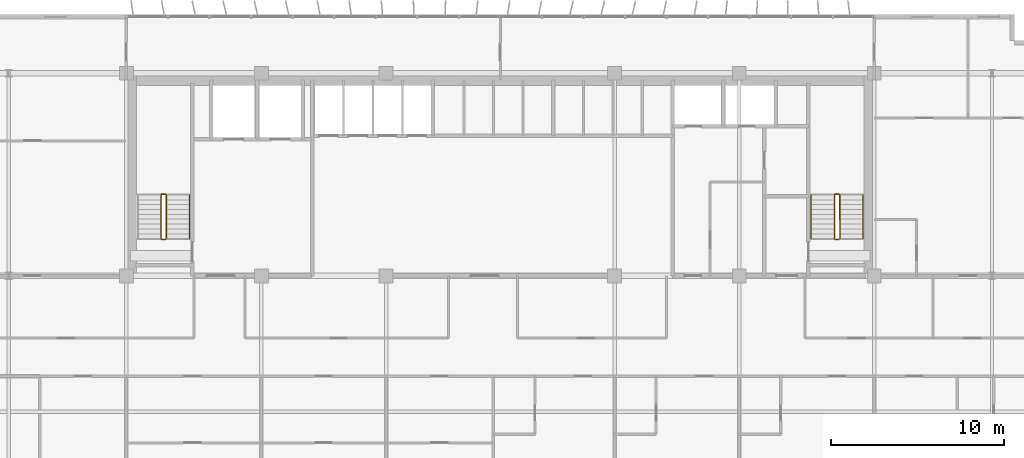
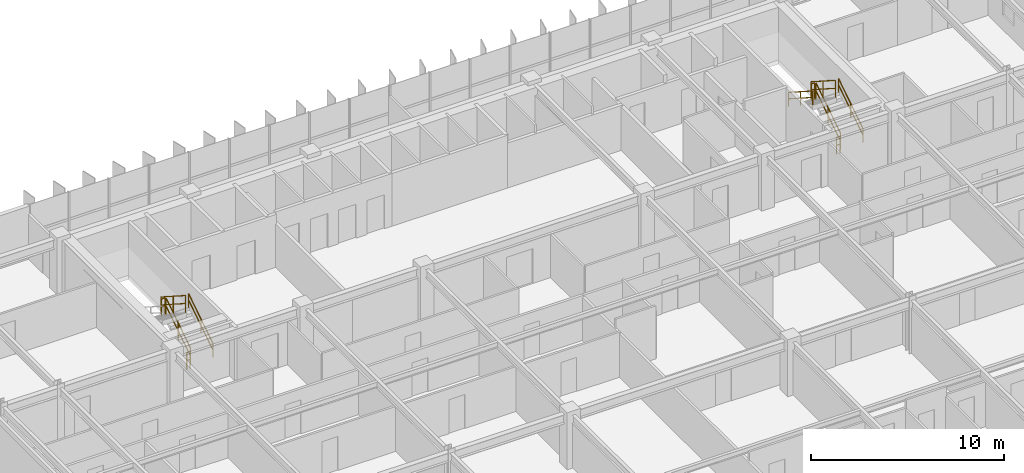
# One storey, part 21 of 22: 11 railings.
"""IFC4 building model written with IfcOpenShell, lengths in metres."""

from ifc_helpers import new_model, si_unit, direction, frame, origin, origin_2d, place, context, subcontext, project, spatial, rectangle, extrude, material, type_object, element, save


model = new_model("IFC4")

# Units and contexts
model_context = context("Model", 3, precision=1e-05, world=origin(), true_north=direction((0.0, 1.0)))
body_context = subcontext(model_context, "Body", "Model", "MODEL_VIEW")
ifc_project = project(units=[si_unit("LENGTHUNIT", "METRE"), si_unit("AREAUNIT", "SQUARE_METRE"), si_unit("VOLUMEUNIT", "CUBIC_METRE"), si_unit("PLANEANGLEUNIT", "RADIAN"), si_unit("MASSUNIT", "GRAM", prefix="KILO")], contexts=[model_context])

# Site, building, storey
site_placement = place(None, origin())
site = spatial("IfcSite", under=ifc_project, at=site_placement, CompositionType="ELEMENT")
building_placement = place(site_placement, origin())
building = spatial("IfcBuilding", under=site, at=building_placement, Name="Trelvane Seafront Commons", CompositionType="ELEMENT")
storey_placement = place(building_placement, frame((0.0, 0.0, 88.89990234375)))
storey = spatial("IfcBuildingStorey", under=building, at=storey_placement, Name="L22", CompositionType="ELEMENT", Elevation=88.89990234375)

# Railings
ifc_material = material(Name="Stainless steel balustrade", Category="steel")
railing_type_1 = type_object("IfcRailingType", Name="ARCH-SRL-GUARD", PredefinedType="GUARDRAIL", material=ifc_material)
railing_1_placement = place(storey_placement, frame((17.89990234375, 35.550048828125, 0.18017578125)))
element("IfcRailing", 1, at=railing_1_placement, inside=storey, type_object=railing_type_1, Name="L22 ST-1 stair guard 1", PredefinedType="GUARDRAIL", context=body_context, shape_type="SweptSolid", body=[
    extrude(rectangle(XDim=0.048095703125, YDim=0.048095703125, at=origin_2d()), frame((0.0, 0.0, 1.076171875), z_axis=(0.0, 0.841199657755, 0.540724639528), x_axis=(-1.0, 0.0, 0.0)), (0.0, 0.0, 1.0), 2.995849609375),
    extrude(rectangle(XDim=0.048095703125, YDim=0.048095703125, at=origin_2d()), frame((0.0, 0.0, 0.572021484375), z_axis=(0.0, 0.841199657755, 0.540724639528), x_axis=(-1.0, 0.0, 0.0)), (0.0, 0.0, 1.0), 2.995849609375),
    extrude(rectangle(XDim=0.0419921875, YDim=0.0419921875, at=origin_2d()), origin(), (0.0, 0.0, 1.0), 1.076171875),
    extrude(rectangle(XDim=0.0419921875, YDim=0.0419921875, at=origin_2d()), frame((0.0, 1.260009765625, 0.81005859375)), (0.0, 0.0, 1.0), 1.076171875),
    extrude(rectangle(XDim=0.0419921875, YDim=0.0419921875, at=origin_2d()), frame((0.0, 2.52001953125, 1.619873046875)), (0.0, 0.0, 1.0), 1.076171875),
])
railing_2_placement = place(storey_placement, frame((17.85009765625, 38.1201171875, 1.800048828125)))
element("IfcRailing", 2, at=railing_2_placement, inside=storey, type_object=railing_type_1, Name="L22 ST-1 stair guard 2", PredefinedType="GUARDRAIL", context=body_context, shape_type="SweptSolid", body=[
    extrude(rectangle(XDim=0.048095703125, YDim=0.048095703125, at=origin_2d()), frame((0.0, 0.0, 1.076171875), z_axis=(-1.0, 0.0, 0.0), x_axis=(0.0, -1.0, 0.0)), (0.0, 0.0, 1.0), 0.2001953125),
    extrude(rectangle(XDim=0.048095703125, YDim=0.048095703125, at=origin_2d()), frame((0.0, 0.0, 0.572021484375), z_axis=(-1.0, 0.0, 0.0), x_axis=(0.0, -1.0, 0.0)), (0.0, 0.0, 1.0), 0.2001953125),
    extrude(rectangle(XDim=0.0419921875, YDim=0.0419921875, at=origin_2d()), origin(), (0.0, 0.0, 1.0), 1.076171875),
    extrude(rectangle(XDim=0.0419921875, YDim=0.0419921875, at=origin_2d()), frame((-0.2001953125, 0.0, 0.0)), (0.0, 0.0, 1.0), 1.076171875),
])
railing_3_placement = place(storey_placement, frame((17.60009765625, 38.070068359375, 1.97998046875)))
element("IfcRailing", 3, at=railing_3_placement, inside=storey, type_object=railing_type_1, Name="L22 ST-1 stair guard 3", PredefinedType="GUARDRAIL", context=body_context, shape_type="SweptSolid", body=[
    extrude(rectangle(XDim=0.048095703125, YDim=0.048095703125, at=origin_2d()), frame((0.0, 0.0, 1.076171875), z_axis=(0.0, -0.841162588446, 0.540782303519), x_axis=(1.0, 0.0, 0.0)), (0.0, 0.0, 1.0), 2.995849609375),
    extrude(rectangle(XDim=0.048095703125, YDim=0.048095703125, at=origin_2d()), frame((0.0, 0.0, 0.572021484375), z_axis=(0.0, -0.841162588446, 0.540782303519), x_axis=(1.0, 0.0, 0.0)), (0.0, 0.0, 1.0), 2.995849609375),
    extrude(rectangle(XDim=0.0419921875, YDim=0.0419921875, at=origin_2d()), origin(), (0.0, 0.0, 1.0), 1.076171875),
    extrude(rectangle(XDim=0.0419921875, YDim=0.0419921875, at=origin_2d()), frame((0.0, -1.260009765625, 0.81005859375)), (0.0, 0.0, 1.0), 1.076171875),
    extrude(rectangle(XDim=0.0419921875, YDim=0.0419921875, at=origin_2d()), frame((0.0, -2.52001953125, 1.6201171875)), (0.0, 0.0, 1.0), 1.076171875),
])
railing_4_placement = place(storey_placement, frame((17.85009765625, 35.5, 0.0)))
element("IfcRailing", 4, at=railing_4_placement, inside=storey, type_object=railing_type_1, Name="L22 ST-1 stair guard 4", PredefinedType="GUARDRAIL", context=body_context, shape_type="SweptSolid", body=[
    extrude(rectangle(XDim=0.048095703125, YDim=0.048095703125, at=origin_2d()), frame((0.0, 0.0, 1.076171875), z_axis=(-1.0, 0.0, 0.0), x_axis=(0.0, -1.0, 0.0)), (0.0, 0.0, 1.0), 0.2001953125),
    extrude(rectangle(XDim=0.048095703125, YDim=0.048095703125, at=origin_2d()), frame((0.0, 0.0, 0.572021484375), z_axis=(-1.0, 0.0, 0.0), x_axis=(0.0, -1.0, 0.0)), (0.0, 0.0, 1.0), 0.2001953125),
    extrude(rectangle(XDim=0.0419921875, YDim=0.0419921875, at=origin_2d()), origin(), (0.0, 0.0, 1.0), 1.076171875),
    extrude(rectangle(XDim=0.0419921875, YDim=0.0419921875, at=origin_2d()), frame((-0.2001953125, 0.0, 0.0)), (0.0, 0.0, 1.0), 1.076171875),
])
railing_5_placement = place(storey_placement, frame((56.800048828125, 35.550048828125, 0.18017578125)))
element("IfcRailing", 5, at=railing_5_placement, inside=storey, type_object=railing_type_1, Name="L22 ST-2 stair guard 1", PredefinedType="GUARDRAIL", context=body_context, shape_type="SweptSolid", body=[
    extrude(rectangle(XDim=0.048095703125, YDim=0.048095703125, at=origin_2d()), frame((0.0, 0.0, 1.076171875), z_axis=(0.0, 0.841199657755, 0.540724639528), x_axis=(-1.0, 0.0, 0.0)), (0.0, 0.0, 1.0), 2.995849609375),
    extrude(rectangle(XDim=0.048095703125, YDim=0.048095703125, at=origin_2d()), frame((0.0, 0.0, 0.572021484375), z_axis=(0.0, 0.841199657755, 0.540724639528), x_axis=(-1.0, 0.0, 0.0)), (0.0, 0.0, 1.0), 2.995849609375),
    extrude(rectangle(XDim=0.0419921875, YDim=0.0419921875, at=origin_2d()), origin(), (0.0, 0.0, 1.0), 1.076171875),
    extrude(rectangle(XDim=0.0419921875, YDim=0.0419921875, at=origin_2d()), frame((0.0, 1.260009765625, 0.81005859375)), (0.0, 0.0, 1.0), 1.076171875),
    extrude(rectangle(XDim=0.0419921875, YDim=0.0419921875, at=origin_2d()), frame((0.0, 2.52001953125, 1.619873046875)), (0.0, 0.0, 1.0), 1.076171875),
])
railing_6_placement = place(storey_placement, frame((56.75, 38.1201171875, 1.800048828125)))
element("IfcRailing", 6, at=railing_6_placement, inside=storey, type_object=railing_type_1, Name="L22 ST-2 stair guard 2", PredefinedType="GUARDRAIL", context=body_context, shape_type="SweptSolid", body=[
    extrude(rectangle(XDim=0.048095703125, YDim=0.048095703125, at=origin_2d()), frame((0.0, 0.0, 1.076171875), z_axis=(-1.0, 0.0, 0.0), x_axis=(0.0, -1.0, 0.0)), (0.0, 0.0, 1.0), 0.199951171875),
    extrude(rectangle(XDim=0.048095703125, YDim=0.048095703125, at=origin_2d()), frame((0.0, 0.0, 0.572021484375), z_axis=(-1.0, 0.0, 0.0), x_axis=(0.0, -1.0, 0.0)), (0.0, 0.0, 1.0), 0.199951171875),
    extrude(rectangle(XDim=0.0419921875, YDim=0.0419921875, at=origin_2d()), origin(), (0.0, 0.0, 1.0), 1.076171875),
    extrude(rectangle(XDim=0.0419921875, YDim=0.0419921875, at=origin_2d()), frame((-0.199951171875, 0.0, 0.0)), (0.0, 0.0, 1.0), 1.076171875),
])
railing_7_placement = place(storey_placement, frame((56.5, 38.070068359375, 1.97998046875)))
element("IfcRailing", 7, at=railing_7_placement, inside=storey, type_object=railing_type_1, Name="L22 ST-2 stair guard 3", PredefinedType="GUARDRAIL", context=body_context, shape_type="SweptSolid", body=[
    extrude(rectangle(XDim=0.048095703125, YDim=0.048095703125, at=origin_2d()), frame((0.0, 0.0, 1.076171875), z_axis=(0.0, -0.841162588446, 0.540782303519), x_axis=(1.0, 0.0, 0.0)), (0.0, 0.0, 1.0), 2.995849609375),
    extrude(rectangle(XDim=0.048095703125, YDim=0.048095703125, at=origin_2d()), frame((0.0, 0.0, 0.572021484375), z_axis=(0.0, -0.841162588446, 0.540782303519), x_axis=(1.0, 0.0, 0.0)), (0.0, 0.0, 1.0), 2.995849609375),
    extrude(rectangle(XDim=0.0419921875, YDim=0.0419921875, at=origin_2d()), origin(), (0.0, 0.0, 1.0), 1.076171875),
    extrude(rectangle(XDim=0.0419921875, YDim=0.0419921875, at=origin_2d()), frame((0.0, -1.260009765625, 0.81005859375)), (0.0, 0.0, 1.0), 1.076171875),
    extrude(rectangle(XDim=0.0419921875, YDim=0.0419921875, at=origin_2d()), frame((0.0, -2.52001953125, 1.6201171875)), (0.0, 0.0, 1.0), 1.076171875),
])
railing_8_placement = place(storey_placement, frame((56.75, 35.5, 0.0)))
element("IfcRailing", 8, at=railing_8_placement, inside=storey, type_object=railing_type_1, Name="L22 ST-2 stair guard 4", PredefinedType="GUARDRAIL", context=body_context, shape_type="SweptSolid", body=[
    extrude(rectangle(XDim=0.048095703125, YDim=0.048095703125, at=origin_2d()), frame((0.0, 0.0, 1.076171875), z_axis=(-1.0, 0.0, 0.0), x_axis=(0.0, -1.0, 0.0)), (0.0, 0.0, 1.0), 0.199951171875),
    extrude(rectangle(XDim=0.048095703125, YDim=0.048095703125, at=origin_2d()), frame((0.0, 0.0, 0.572021484375), z_axis=(-1.0, 0.0, 0.0), x_axis=(0.0, -1.0, 0.0)), (0.0, 0.0, 1.0), 0.199951171875),
    extrude(rectangle(XDim=0.0419921875, YDim=0.0419921875, at=origin_2d()), origin(), (0.0, 0.0, 1.0), 1.076171875),
    extrude(rectangle(XDim=0.0419921875, YDim=0.0419921875, at=origin_2d()), frame((-0.199951171875, 0.0, 0.0)), (0.0, 0.0, 1.0), 1.076171875),
])
railing_type_2 = type_object("IfcRailingType", Name="ARCH-SRL-HAND", PredefinedType="HANDRAIL", material=ifc_material)
for number, where, name in (
    (9, (19.25, 35.550048828125, 0.18017578125), "L22 ST-1 stair handrail 1"),
    (10, (58.14990234375, 35.550048828125, 0.18017578125), "L22 ST-2 stair handrail 1"),
):
    element("IfcRailing", number, at=place(storey_placement, frame(where)), inside=storey, type_object=railing_type_2, Name=name, PredefinedType="HANDRAIL", context=body_context, shape_type="SweptSolid", body=[
        extrude(rectangle(XDim=0.048095703125, YDim=0.048095703125, at=origin_2d()), frame((0.0, 0.0, 0.8759765625), z_axis=(0.0, 0.841199657755, 0.540724639528), x_axis=(-1.0, 0.0, 0.0)), (0.0, 0.0, 1.0), 2.995849609375),
        extrude(rectangle(XDim=0.048095703125, YDim=0.048095703125, at=origin_2d()), frame((0.0, 0.0, 0.468017578125), z_axis=(0.0, 0.841199657755, 0.540724639528), x_axis=(-1.0, 0.0, 0.0)), (0.0, 0.0, 1.0), 2.995849609375),
        extrude(rectangle(XDim=0.0419921875, YDim=0.0419921875, at=origin_2d()), origin(), (0.0, 0.0, 1.0), 0.8759765625),
        extrude(rectangle(XDim=0.0419921875, YDim=0.0419921875, at=origin_2d()), frame((0.0, 1.260009765625, 0.81005859375)), (0.0, 0.0, 1.0), 0.8759765625),
        extrude(rectangle(XDim=0.0419921875, YDim=0.0419921875, at=origin_2d()), frame((0.0, 2.52001953125, 1.619873046875)), (0.0, 0.0, 1.0), 0.8759765625),
    ])
railing_9_placement = place(storey_placement, frame((55.14990234375, 38.070068359375, 1.97998046875)))
element("IfcRailing", 11, at=railing_9_placement, inside=storey, type_object=railing_type_2, Name="L22 ST-2 stair handrail 2", PredefinedType="HANDRAIL", context=body_context, shape_type="SweptSolid", body=[
    extrude(rectangle(XDim=0.048095703125, YDim=0.048095703125, at=origin_2d()), frame((0.0, 0.0, 0.8759765625), z_axis=(0.0, -0.841162588446, 0.540782303519), x_axis=(1.0, 0.0, 0.0)), (0.0, 0.0, 1.0), 2.995849609375),
    extrude(rectangle(XDim=0.048095703125, YDim=0.048095703125, at=origin_2d()), frame((0.0, 0.0, 0.468017578125), z_axis=(0.0, -0.841162588446, 0.540782303519), x_axis=(1.0, 0.0, 0.0)), (0.0, 0.0, 1.0), 2.995849609375),
    extrude(rectangle(XDim=0.0419921875, YDim=0.0419921875, at=origin_2d()), origin(), (0.0, 0.0, 1.0), 0.8759765625),
    extrude(rectangle(XDim=0.0419921875, YDim=0.0419921875, at=origin_2d()), frame((0.0, -1.260009765625, 0.81005859375)), (0.0, 0.0, 1.0), 0.8759765625),
    extrude(rectangle(XDim=0.0419921875, YDim=0.0419921875, at=origin_2d()), frame((0.0, -2.52001953125, 1.6201171875)), (0.0, 0.0, 1.0), 0.8759765625),
])

save(model, "model.ifc")
